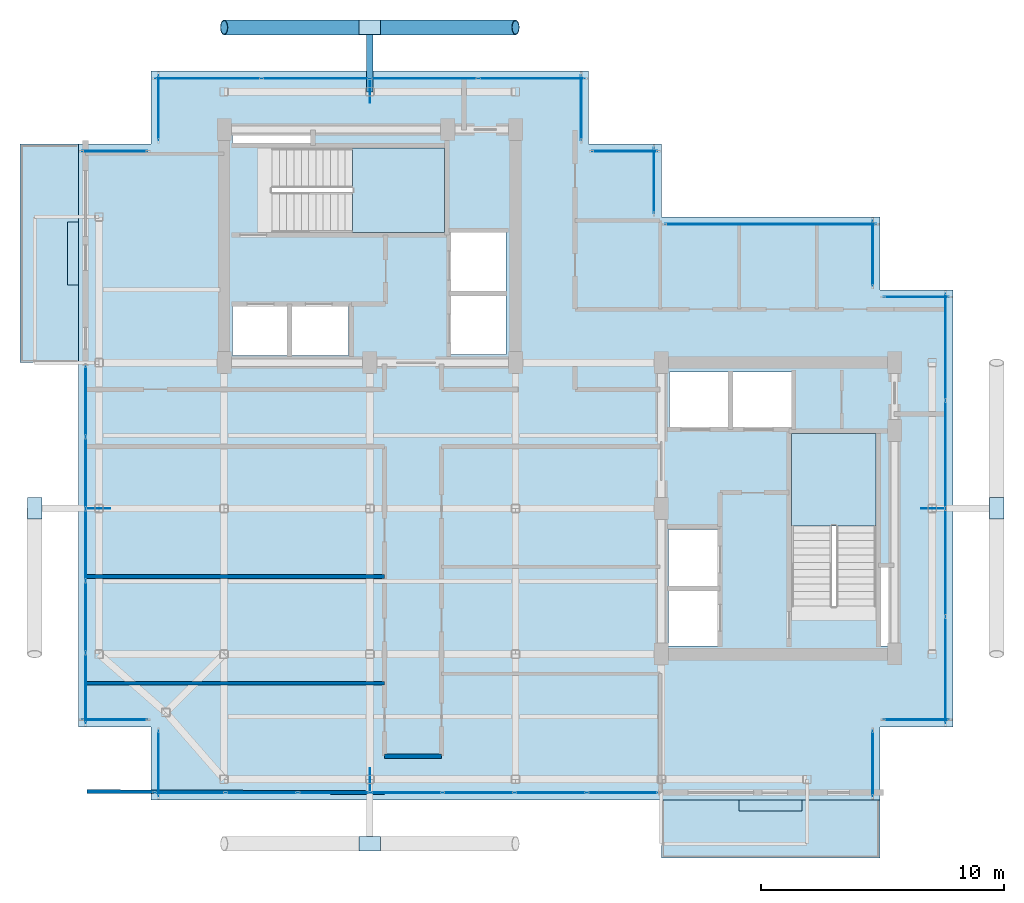
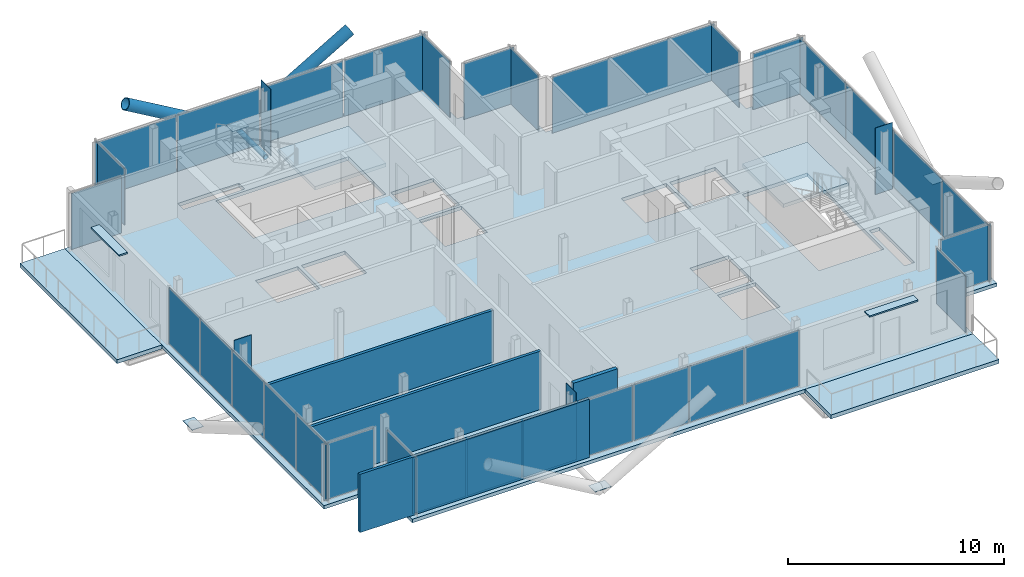
# One storey, part 13 of 18: 42 plates, 5 slabs, 4 walls, 3 members, 18 elements without a shape of their own.
"""IFC4 building model written with IfcOpenShell, lengths in metres."""

from ifc_helpers import new_model, si_unit, direction, frame, frame_2d, origin, origin_2d, place, context, subcontext, project, spatial, polyline, rectangle, hollow_circle, outline, extrude, material, layer, layer_set, material_profile, profile_set, type_object, element, aggregate, save


model = new_model("IFC4")

# Units and contexts
model_context = context("Model", 3, precision=1e-05, world=origin(), true_north=direction((0.0, 1.0)))
body_context = subcontext(model_context, "Body", "Model", "MODEL_VIEW")
ifc_project = project(units=[si_unit("LENGTHUNIT", "METRE"), si_unit("AREAUNIT", "SQUARE_METRE"), si_unit("VOLUMEUNIT", "CUBIC_METRE"), si_unit("PLANEANGLEUNIT", "RADIAN"), si_unit("MASSUNIT", "GRAM", prefix="KILO"), si_unit("THERMODYNAMICTEMPERATUREUNIT", "KELVIN"), si_unit("POWERUNIT", "WATT")], contexts=[model_context])

# Site, building, storey
site_placement = place(None, origin())
site = spatial("IfcSite", under=ifc_project, at=site_placement, CompositionType="ELEMENT")
building_placement = place(site_placement, origin())
building = spatial("IfcBuilding", under=site, at=building_placement, Name="Svarakhadi Broadcast Tower", CompositionType="ELEMENT")
storey_placement = place(building_placement, frame((0.0, 0.0, 274.699951171875)))
storey = spatial("IfcBuildingStorey", under=building, at=storey_placement, Name="L69", CompositionType="ELEMENT", Elevation=274.699951171875)

# Members
ifc_material_1 = material(Name="Steel S460ML (IS 2062 E450BR)", Category="steel")
ifc_material_profile_1 = material_profile(ifc_material_1, hollow_circle(Radius=0.304931640625, WallThickness=0.030029296875, at=origin_2d()), Name="CHS 610x30")
ifc_profile_set_1 = profile_set([ifc_material_profile_1], Name="Steel S460ML (IS 2062 E450BR)")
member_type_1 = type_object("IfcMemberType", Name="Exo_Brace_CHS610", PredefinedType="BRACE", material=ifc_profile_set_1)
for number, where, z_axis, x_axis, name in (
    (1, (12.0, 31.800048828125, -0.33642578125), (-0.863778900898, 0.0, 0.503871025524), (0.0, -1.0, 0.0), "L69 Exposed Bronze Exoskeleton Diagonal N06"),
    (2, (12.0, 31.800048828125, -0.33642578125), (0.863778900898, 0.0, 0.503871025524), (0.0, 1.0, 0.0), "L69 Exposed Bronze Exoskeleton Diagonal N07"),
):
    element("IfcMember", number, at=place(storey_placement, frame(where, z_axis=z_axis, x_axis=x_axis)), inside=storey, type_object=member_type_1, Name=name, PredefinedType="BRACE", context=body_context, shape_type="SweptSolid", body=[
        extrude(hollow_circle(Radius=0.304931640625, WallThickness=0.030029296875, at=origin_2d()), origin(), (0.0, 0.0, 1.0), 6.9462890625),
    ])
ifc_material_profile_2 = material_profile(ifc_material_1, hollow_circle(Radius=0.136474609375, WallThickness=0.012451171875, at=origin_2d()), Name="CHS 273x12.5")
ifc_profile_set_2 = profile_set([ifc_material_profile_2], Name="Steel S460ML (IS 2062 E450BR)")
member_type_2 = type_object("IfcMemberType", Name="Exo_Radial_Strut_Z3", PredefinedType="STRUT", material=ifc_profile_set_2)
member_placement = place(storey_placement, frame((12.0, 31.800048828125, -0.33642578125), z_axis=(0.0, -1.0, 0.0), x_axis=(1.0, 0.0, 0.0)))
element("IfcMember", 3, at=member_placement, inside=storey, type_object=member_type_2, Name="L69 Exoskeleton Radial Tie Strut N04", PredefinedType="STRUT", context=body_context, shape_type="SweptSolid", body=[
    extrude(hollow_circle(Radius=0.136474609375, WallThickness=0.012451171875, at=origin_2d()), origin(), (0.0, 0.0, 1.0), 2.650146484375),
])

# Curtain wall, plate
ifc_material_2 = material(Name="Anodised Bronze Aluminium AA 6063-T6", Category="aluminium")
ifc_layer_1 = layer(ifc_material_2, 0.179931640625)
ifc_layer_set_1 = layer_set([ifc_layer_1], Name="Anodised Bronze Aluminium AA 6063-T6")
curtain_wall_type = type_object("IfcCurtainWallType", Name="CW_Sys_05", PredefinedType="NOTDEFINED", material=ifc_layer_set_1)
curtain_wall_1_placement = place(storey_placement, origin())
curtain_wall_1 = element("IfcCurtainWall", 4, at=curtain_wall_1_placement, inside=storey, type_object=curtain_wall_type, Name="L69 Unitised Facade Curtain Wall 01", PredefinedType="NOTDEFINED")
ifc_material_3 = material(Name="Double Low-E Laminated Acoustic Glass IGU 36 mm", Category="glass")
ifc_layer_2 = layer(ifc_material_3, 0.033935546875)
ifc_layer_set_2 = layer_set([ifc_layer_2], Name="Double Low-E Laminated Acoustic Glass IGU 36 mm")
plate_type_1 = type_object("IfcPlateType", Name="CW_Sys_05_Pnl", PredefinedType="CURTAIN_PANEL", material=ifc_layer_set_2)
plate_1_placement = place(storey_placement, frame((1.5, 3.300048828125, 0.065185546875), z_axis=(0.0, 0.0, 1.0), x_axis=(-1.0, 0.0, 0.0)))
plate_1 = element("IfcPlate", 5, at=plate_1_placement, type_object=plate_type_1, Name="CW-05 panel 1.1", PredefinedType="CURTAIN_PANEL", context=body_context, shape_type="SweptSolid", body=[
    extrude(rectangle(XDim=2.679931640625, YDim=0.033935546875, at=origin_2d()), origin(), (0.0, 0.0, 1.0), 3.169921875),
])
aggregate(curtain_wall_1, [plate_1])

# Curtain wall, plates
curtain_wall_2_placement = place(storey_placement, origin())
curtain_wall_2 = element("IfcCurtainWall", 6, at=curtain_wall_2_placement, inside=storey, type_object=curtain_wall_type, Name="L69 West Curtain Wall 02", PredefinedType="NOTDEFINED")
plate_2_placement = place(storey_placement, frame((0.300048828125, 4.589599609375, 0.065185546875), z_axis=(0.0, 0.0, 1.0), x_axis=(0.0, 1.0, 0.0)))
plate_2 = element("IfcPlate", 7, at=plate_2_placement, type_object=plate_type_1, Name="CW-05 panel 1.1", PredefinedType="CURTAIN_PANEL", context=body_context, shape_type="SweptSolid", body=[
    extrude(rectangle(XDim=2.85888671875, YDim=0.033935546875, at=origin_2d()), origin(), (0.0, 0.0, 1.0), 3.169921875),
])
plate_3_placement = place(storey_placement, frame((0.300048828125, 7.535888671875, 0.065185546875), z_axis=(0.0, 0.0, 1.0), x_axis=(0.0, 1.0, 0.0)))
plate_3 = element("IfcPlate", 8, at=plate_3_placement, type_object=plate_type_1, Name="CW-05 panel 2.1", PredefinedType="CURTAIN_PANEL", context=body_context, shape_type="SweptSolid", body=[
    extrude(rectangle(XDim=2.89404296875, YDim=0.033935546875, at=origin_2d()), origin(), (0.0, 0.0, 1.0), 3.169921875),
])
plate_4_placement = place(storey_placement, frame((0.300048828125, 10.5, 0.065185546875), z_axis=(0.0, 0.0, 1.0), x_axis=(0.0, 1.0, 0.0)))
plate_4 = element("IfcPlate", 9, at=plate_4_placement, type_object=plate_type_1, Name="CW-05 panel 3.1", PredefinedType="CURTAIN_PANEL", context=body_context, shape_type="SweptSolid", body=[
    extrude(rectangle(XDim=2.89404296875, YDim=0.033935546875, at=origin_2d()), origin(), (0.0, 0.0, 1.0), 3.169921875),
])
plate_5_placement = place(storey_placement, frame((0.300048828125, 13.464111328125, 0.065185546875), z_axis=(0.0, 0.0, 1.0), x_axis=(0.0, 1.0, 0.0)))
plate_5 = element("IfcPlate", 10, at=plate_5_placement, type_object=plate_type_1, Name="CW-05 panel 4.1", PredefinedType="CURTAIN_PANEL", context=body_context, shape_type="SweptSolid", body=[
    extrude(rectangle(XDim=2.89404296875, YDim=0.033935546875, at=origin_2d()), origin(), (0.0, 0.0, 1.0), 3.169921875),
])
plate_6_placement = place(storey_placement, frame((0.300048828125, 16.410400390625, 0.065185546875), z_axis=(0.0, 0.0, 1.0), x_axis=(0.0, 1.0, 0.0)))
plate_6 = element("IfcPlate", 11, at=plate_6_placement, type_object=plate_type_1, Name="CW-05 panel 5.1", PredefinedType="CURTAIN_PANEL", context=body_context, shape_type="SweptSolid", body=[
    extrude(rectangle(XDim=2.85888671875, YDim=0.033935546875, at=origin_2d()), origin(), (0.0, 0.0, 1.0), 3.169921875),
])
aggregate(curtain_wall_2, [plate_2, plate_3, plate_4, plate_5, plate_6])

# Curtain wall, plate
curtain_wall_3_placement = place(storey_placement, origin())
curtain_wall_3 = element("IfcCurtainWall", 12, at=curtain_wall_3_placement, inside=storey, type_object=curtain_wall_type, Name="L69 Unitised Facade Curtain Wall 03", PredefinedType="NOTDEFINED")
plate_7_placement = place(storey_placement, frame((1.5, 26.699951171875, 0.065185546875), z_axis=(0.0, 0.0, 1.0), x_axis=(1.0, 0.0, 0.0)))
plate_7 = element("IfcPlate", 13, at=plate_7_placement, type_object=plate_type_1, Name="CW-05 panel 1.1", PredefinedType="CURTAIN_PANEL", context=body_context, shape_type="SweptSolid", body=[
    extrude(rectangle(XDim=2.679931640625, YDim=0.033935546875, at=origin_2d()), origin(), (0.0, 0.0, 1.0), 3.169921875),
])
aggregate(curtain_wall_3, [plate_7])

curtain_wall_4_placement = place(storey_placement, origin())
curtain_wall_4 = element("IfcCurtainWall", 14, at=curtain_wall_4_placement, inside=storey, type_object=curtain_wall_type, Name="L69 Unitised Facade Curtain Wall 04", PredefinedType="NOTDEFINED")
plate_8_placement = place(storey_placement, frame((3.300048828125, 28.5, 0.065185546875), z_axis=(0.0, 0.0, 1.0), x_axis=(0.0, 1.0, 0.0)))
plate_8 = element("IfcPlate", 15, at=plate_8_placement, type_object=plate_type_1, Name="CW-05 panel 1.1", PredefinedType="CURTAIN_PANEL", context=body_context, shape_type="SweptSolid", body=[
    extrude(rectangle(XDim=2.679931640625, YDim=0.033935546875, at=origin_2d()), origin(), (0.0, 0.0, 1.0), 3.169921875),
])
aggregate(curtain_wall_4, [plate_8])

# Curtain wall, plates
curtain_wall_5_placement = place(storey_placement, origin())
curtain_wall_5 = element("IfcCurtainWall", 16, at=curtain_wall_5_placement, inside=storey, type_object=curtain_wall_type, Name="L69 Unitised Facade Curtain Wall 05", PredefinedType="NOTDEFINED")
plate_9_placement = place(storey_placement, frame((5.3349609375, 29.699951171875, 0.065185546875), z_axis=(0.0, 0.0, 1.0), x_axis=(1.0, 0.0, 0.0)))
plate_9 = element("IfcPlate", 17, at=plate_9_placement, type_object=plate_type_1, Name="CW-05 panel 1.1", PredefinedType="CURTAIN_PANEL", context=body_context, shape_type="SweptSolid", body=[
    extrude(rectangle(XDim=4.35009765625, YDim=0.033935546875, at=origin_2d()), origin(), (0.0, 0.0, 1.0), 3.169921875),
])
plate_10_placement = place(storey_placement, frame((9.7724609375, 29.699951171875, 0.065185546875), z_axis=(0.0, 0.0, 1.0), x_axis=(1.0, 0.0, 0.0)))
plate_10 = element("IfcPlate", 18, at=plate_10_placement, type_object=plate_type_1, Name="CW-05 panel 2.1", PredefinedType="CURTAIN_PANEL", context=body_context, shape_type="SweptSolid", body=[
    extrude(rectangle(XDim=4.385009765625, YDim=0.033935546875, at=origin_2d()), origin(), (0.0, 0.0, 1.0), 3.169921875),
])
plate_11_placement = place(storey_placement, frame((14.2275390625, 29.699951171875, 0.065185546875), z_axis=(0.0, 0.0, 1.0), x_axis=(1.0, 0.0, 0.0)))
plate_11 = element("IfcPlate", 19, at=plate_11_placement, type_object=plate_type_1, Name="CW-05 panel 3.1", PredefinedType="CURTAIN_PANEL", context=body_context, shape_type="SweptSolid", body=[
    extrude(rectangle(XDim=4.385009765625, YDim=0.033935546875, at=origin_2d()), origin(), (0.0, 0.0, 1.0), 3.169921875),
])
plate_12_placement = place(storey_placement, frame((18.6650390625, 29.699951171875, 0.065185546875), z_axis=(0.0, 0.0, 1.0), x_axis=(1.0, 0.0, 0.0)))
plate_12 = element("IfcPlate", 20, at=plate_12_placement, type_object=plate_type_1, Name="CW-05 panel 4.1", PredefinedType="CURTAIN_PANEL", context=body_context, shape_type="SweptSolid", body=[
    extrude(rectangle(XDim=4.35009765625, YDim=0.033935546875, at=origin_2d()), origin(), (0.0, 0.0, 1.0), 3.169921875),
])
aggregate(curtain_wall_5, [plate_9, plate_10, plate_11, plate_12])

# Curtain wall, plate
curtain_wall_6_placement = place(storey_placement, origin())
curtain_wall_6 = element("IfcCurtainWall", 21, at=curtain_wall_6_placement, inside=storey, type_object=curtain_wall_type, Name="L69 Unitised Facade Curtain Wall 06", PredefinedType="NOTDEFINED")
plate_13_placement = place(storey_placement, frame((20.699951171875, 28.5, 0.065185546875), z_axis=(0.0, 0.0, 1.0), x_axis=(0.0, -1.0, 0.0)))
plate_13 = element("IfcPlate", 22, at=plate_13_placement, type_object=plate_type_1, Name="CW-05 panel 1.1", PredefinedType="CURTAIN_PANEL", context=body_context, shape_type="SweptSolid", body=[
    extrude(rectangle(XDim=2.679931640625, YDim=0.033935546875, at=origin_2d()), origin(), (0.0, 0.0, 1.0), 3.169921875),
])
aggregate(curtain_wall_6, [plate_13])

curtain_wall_7_placement = place(storey_placement, origin())
curtain_wall_7 = element("IfcCurtainWall", 23, at=curtain_wall_7_placement, inside=storey, type_object=curtain_wall_type, Name="L69 Unitised Facade Curtain Wall 07", PredefinedType="NOTDEFINED")
plate_14_placement = place(storey_placement, frame((22.5, 26.699951171875, 0.065185546875), z_axis=(0.0, 0.0, 1.0), x_axis=(1.0, 0.0, 0.0)))
plate_14 = element("IfcPlate", 24, at=plate_14_placement, type_object=plate_type_1, Name="CW-05 panel 1.1", PredefinedType="CURTAIN_PANEL", context=body_context, shape_type="SweptSolid", body=[
    extrude(rectangle(XDim=2.679931640625, YDim=0.033935546875, at=origin_2d()), origin(), (0.0, 0.0, 1.0), 3.169921875),
])
aggregate(curtain_wall_7, [plate_14])

curtain_wall_8_placement = place(storey_placement, origin())
curtain_wall_8 = element("IfcCurtainWall", 25, at=curtain_wall_8_placement, inside=storey, type_object=curtain_wall_type, Name="L69 Unitised Facade Curtain Wall 08", PredefinedType="NOTDEFINED")
plate_15_placement = place(storey_placement, frame((23.699951171875, 25.5, 0.065185546875), z_axis=(0.0, 0.0, 1.0), x_axis=(0.0, -1.0, 0.0)))
plate_15 = element("IfcPlate", 26, at=plate_15_placement, type_object=plate_type_1, Name="CW-05 panel 1.1", PredefinedType="CURTAIN_PANEL", context=body_context, shape_type="SweptSolid", body=[
    extrude(rectangle(XDim=2.679931640625, YDim=0.033935546875, at=origin_2d()), origin(), (0.0, 0.0, 1.0), 3.169921875),
])
aggregate(curtain_wall_8, [plate_15])

curtain_wall_9_placement = place(storey_placement, origin())
curtain_wall_9 = element("IfcCurtainWall", 27, at=curtain_wall_9_placement, inside=storey, type_object=curtain_wall_type, Name="L69 Unitised Facade Curtain Wall 09", PredefinedType="NOTDEFINED")
plate_16_placement = place(storey_placement, frame((28.5, 23.699951171875, 0.065185546875), z_axis=(0.0, 0.0, 1.0), x_axis=(1.0, 0.0, 0.0)))
plate_16 = element("IfcPlate", 28, at=plate_16_placement, type_object=plate_type_1, Name="CW-05 panel 1.1", PredefinedType="CURTAIN_PANEL", context=body_context, shape_type="SweptSolid", body=[
    extrude(rectangle(XDim=8.679931640625, YDim=0.033935546875, at=origin_2d()), origin(), (0.0, 0.0, 1.0), 3.169921875),
])
aggregate(curtain_wall_9, [plate_16])

curtain_wall_10_placement = place(storey_placement, origin())
curtain_wall_10 = element("IfcCurtainWall", 29, at=curtain_wall_10_placement, inside=storey, type_object=curtain_wall_type, Name="L69 Unitised Facade Curtain Wall 10", PredefinedType="NOTDEFINED")
plate_17_placement = place(storey_placement, frame((32.699951171875, 22.5, 0.065185546875), z_axis=(0.0, 0.0, 1.0), x_axis=(0.0, -1.0, 0.0)))
plate_17 = element("IfcPlate", 30, at=plate_17_placement, type_object=plate_type_1, Name="CW-05 panel 1.1", PredefinedType="CURTAIN_PANEL", context=body_context, shape_type="SweptSolid", body=[
    extrude(rectangle(XDim=2.679931640625, YDim=0.033935546875, at=origin_2d()), origin(), (0.0, 0.0, 1.0), 3.169921875),
])
aggregate(curtain_wall_10, [plate_17])

curtain_wall_11_placement = place(storey_placement, origin())
curtain_wall_11 = element("IfcCurtainWall", 31, at=curtain_wall_11_placement, inside=storey, type_object=curtain_wall_type, Name="L69 Unitised Facade Curtain Wall 11", PredefinedType="NOTDEFINED")
plate_18_placement = place(storey_placement, frame((34.5, 20.699951171875, 0.065185546875), z_axis=(0.0, 0.0, 1.0), x_axis=(1.0, 0.0, 0.0)))
plate_18 = element("IfcPlate", 32, at=plate_18_placement, type_object=plate_type_1, Name="CW-05 panel 1.1", PredefinedType="CURTAIN_PANEL", context=body_context, shape_type="SweptSolid", body=[
    extrude(rectangle(XDim=2.679931640625, YDim=0.033935546875, at=origin_2d()), origin(), (0.0, 0.0, 1.0), 3.169921875),
])
aggregate(curtain_wall_11, [plate_18])

# Curtain wall, plates
curtain_wall_12_placement = place(storey_placement, origin())
curtain_wall_12 = element("IfcCurtainWall", 33, at=curtain_wall_12_placement, inside=storey, type_object=curtain_wall_type, Name="L69 Unitised Facade Curtain Wall 12", PredefinedType="NOTDEFINED")
plate_19_placement = place(storey_placement, frame((35.699951171875, 18.6650390625, 0.065185546875), z_axis=(0.0, 0.0, 1.0), x_axis=(0.0, -1.0, 0.0)))
plate_19 = element("IfcPlate", 34, at=plate_19_placement, type_object=plate_type_1, Name="CW-05 panel 1.1", PredefinedType="CURTAIN_PANEL", context=body_context, shape_type="SweptSolid", body=[
    extrude(rectangle(XDim=4.35009765625, YDim=0.033935546875, at=origin_2d()), origin(), (0.0, 0.0, 1.0), 3.169921875),
])
plate_20_placement = place(storey_placement, frame((35.699951171875, 14.2275390625, 0.065185546875), z_axis=(0.0, 0.0, 1.0), x_axis=(0.0, -1.0, 0.0)))
plate_20 = element("IfcPlate", 35, at=plate_20_placement, type_object=plate_type_1, Name="CW-05 panel 2.1", PredefinedType="CURTAIN_PANEL", context=body_context, shape_type="SweptSolid", body=[
    extrude(rectangle(XDim=4.385009765625, YDim=0.033935546875, at=origin_2d()), origin(), (0.0, 0.0, 1.0), 3.169921875),
])
plate_21_placement = place(storey_placement, frame((35.699951171875, 9.7724609375, 0.065185546875), z_axis=(0.0, 0.0, 1.0), x_axis=(0.0, -1.0, 0.0)))
plate_21 = element("IfcPlate", 36, at=plate_21_placement, type_object=plate_type_1, Name="CW-05 panel 3.1", PredefinedType="CURTAIN_PANEL", context=body_context, shape_type="SweptSolid", body=[
    extrude(rectangle(XDim=4.385009765625, YDim=0.033935546875, at=origin_2d()), origin(), (0.0, 0.0, 1.0), 3.169921875),
])
plate_22_placement = place(storey_placement, frame((35.699951171875, 5.3349609375, 0.065185546875), z_axis=(0.0, 0.0, 1.0), x_axis=(0.0, -1.0, 0.0)))
plate_22 = element("IfcPlate", 37, at=plate_22_placement, type_object=plate_type_1, Name="CW-05 panel 4.1", PredefinedType="CURTAIN_PANEL", context=body_context, shape_type="SweptSolid", body=[
    extrude(rectangle(XDim=4.35009765625, YDim=0.033935546875, at=origin_2d()), origin(), (0.0, 0.0, 1.0), 3.169921875),
])
aggregate(curtain_wall_12, [plate_19, plate_20, plate_21, plate_22])

# Curtain wall, plate
curtain_wall_13_placement = place(storey_placement, origin())
curtain_wall_13 = element("IfcCurtainWall", 38, at=curtain_wall_13_placement, inside=storey, type_object=curtain_wall_type, Name="L69 Unitised Facade Curtain Wall 13", PredefinedType="NOTDEFINED")
plate_23_placement = place(storey_placement, frame((34.5, 3.300048828125, 0.065185546875), z_axis=(0.0, 0.0, 1.0), x_axis=(-1.0, 0.0, 0.0)))
plate_23 = element("IfcPlate", 39, at=plate_23_placement, type_object=plate_type_1, Name="CW-05 panel 1.1", PredefinedType="CURTAIN_PANEL", context=body_context, shape_type="SweptSolid", body=[
    extrude(rectangle(XDim=2.679931640625, YDim=0.033935546875, at=origin_2d()), origin(), (0.0, 0.0, 1.0), 3.169921875),
])
aggregate(curtain_wall_13, [plate_23])

curtain_wall_14_placement = place(storey_placement, origin())
curtain_wall_14 = element("IfcCurtainWall", 40, at=curtain_wall_14_placement, inside=storey, type_object=curtain_wall_type, Name="L69 Unitised Facade Curtain Wall 14", PredefinedType="NOTDEFINED")
plate_24_placement = place(storey_placement, frame((32.699951171875, 1.5, 0.065185546875), z_axis=(0.0, 0.0, 1.0), x_axis=(0.0, -1.0, 0.0)))
plate_24 = element("IfcPlate", 41, at=plate_24_placement, type_object=plate_type_1, Name="CW-05 panel 1.1", PredefinedType="CURTAIN_PANEL", context=body_context, shape_type="SweptSolid", body=[
    extrude(rectangle(XDim=2.679931640625, YDim=0.033935546875, at=origin_2d()), origin(), (0.0, 0.0, 1.0), 3.169921875),
])
aggregate(curtain_wall_14, [plate_24])

# Curtain wall, plates
curtain_wall_15_placement = place(storey_placement, origin())
curtain_wall_15 = element("IfcCurtainWall", 42, at=curtain_wall_15_placement, inside=storey, type_object=curtain_wall_type, Name="L69 South Curtain Wall 15", PredefinedType="NOTDEFINED")
plate_25_placement = place(storey_placement, frame((22.4052734375, 0.300048828125, 0.065185546875), z_axis=(0.0, 0.0, 1.0), x_axis=(-1.0, 0.0, 0.0)))
plate_25 = element("IfcPlate", 43, at=plate_25_placement, type_object=plate_type_1, Name="CW-05 panel 1.1", PredefinedType="CURTAIN_PANEL", context=body_context, shape_type="SweptSolid", body=[
    extrude(rectangle(XDim=2.869384765625, YDim=0.033935546875, at=origin_2d()), origin(), (0.0, 0.0, 1.0), 3.169921875),
])
plate_26_placement = place(storey_placement, frame((19.448486328125, 0.300048828125, 0.065185546875), z_axis=(0.0, 0.0, 1.0), x_axis=(-1.0, 0.0, 0.0)))
plate_26 = element("IfcPlate", 44, at=plate_26_placement, type_object=plate_type_1, Name="CW-05 panel 2.1", PredefinedType="CURTAIN_PANEL", context=body_context, shape_type="SweptSolid", body=[
    extrude(rectangle(XDim=2.904296875, YDim=0.033935546875, at=origin_2d()), origin(), (0.0, 0.0, 1.0), 3.169921875),
])
plate_27_placement = place(storey_placement, frame((16.474365234375, 0.300048828125, 0.065185546875), z_axis=(0.0, 0.0, 1.0), x_axis=(-1.0, 0.0, 0.0)))
plate_27 = element("IfcPlate", 45, at=plate_27_placement, type_object=plate_type_1, Name="CW-05 panel 3.1", PredefinedType="CURTAIN_PANEL", context=body_context, shape_type="SweptSolid", body=[
    extrude(rectangle(XDim=2.904296875, YDim=0.033935546875, at=origin_2d()), origin(), (0.0, 0.0, 1.0), 3.169921875),
])
plate_28_placement = place(storey_placement, frame((13.5, 0.300048828125, 0.065185546875), z_axis=(0.0, 0.0, 1.0), x_axis=(-1.0, 0.0, 0.0)))
plate_28 = element("IfcPlate", 46, at=plate_28_placement, type_object=plate_type_1, Name="CW-05 panel 4.1", PredefinedType="CURTAIN_PANEL", context=body_context, shape_type="SweptSolid", body=[
    extrude(rectangle(XDim=2.904296875, YDim=0.033935546875, at=origin_2d()), origin(), (0.0, 0.0, 1.0), 3.169921875),
])
plate_29_placement = place(storey_placement, frame((10.525634765625, 0.300048828125, 0.065185546875), z_axis=(0.0, 0.0, 1.0), x_axis=(-1.0, 0.0, 0.0)))
plate_29 = element("IfcPlate", 47, at=plate_29_placement, type_object=plate_type_1, Name="CW-05 panel 5.1", PredefinedType="CURTAIN_PANEL", context=body_context, shape_type="SweptSolid", body=[
    extrude(rectangle(XDim=2.904296875, YDim=0.033935546875, at=origin_2d()), origin(), (0.0, 0.0, 1.0), 3.169921875),
])
plate_30_placement = place(storey_placement, frame((7.551513671875, 0.300048828125, 0.065185546875), z_axis=(0.0, 0.0, 1.0), x_axis=(-1.0, 0.0, 0.0)))
plate_30 = element("IfcPlate", 48, at=plate_30_placement, type_object=plate_type_1, Name="CW-05 panel 6.1", PredefinedType="CURTAIN_PANEL", context=body_context, shape_type="SweptSolid", body=[
    extrude(rectangle(XDim=2.904296875, YDim=0.033935546875, at=origin_2d()), origin(), (0.0, 0.0, 1.0), 3.169921875),
])
plate_31_placement = place(storey_placement, frame((4.5947265625, 0.300048828125, 0.065185546875), z_axis=(0.0, 0.0, 1.0), x_axis=(-1.0, 0.0, 0.0)))
plate_31 = element("IfcPlate", 49, at=plate_31_placement, type_object=plate_type_1, Name="CW-05 panel 7.1", PredefinedType="CURTAIN_PANEL", context=body_context, shape_type="SweptSolid", body=[
    extrude(rectangle(XDim=2.869384765625, YDim=0.033935546875, at=origin_2d()), origin(), (0.0, 0.0, 1.0), 3.169921875),
])
aggregate(curtain_wall_15, [plate_25, plate_26, plate_27, plate_28, plate_29, plate_30, plate_31])

# Curtain wall, plate
curtain_wall_16_placement = place(storey_placement, origin())
curtain_wall_16 = element("IfcCurtainWall", 50, at=curtain_wall_16_placement, inside=storey, type_object=curtain_wall_type, Name="L69 Unitised Facade Curtain Wall 16", PredefinedType="NOTDEFINED")
plate_32_placement = place(storey_placement, frame((3.300048828125, 1.5, 0.065185546875), z_axis=(0.0, 0.0, 1.0), x_axis=(0.0, 1.0, 0.0)))
plate_32 = element("IfcPlate", 51, at=plate_32_placement, type_object=plate_type_1, Name="CW-05 panel 1.1", PredefinedType="CURTAIN_PANEL", context=body_context, shape_type="SweptSolid", body=[
    extrude(rectangle(XDim=2.679931640625, YDim=0.033935546875, at=origin_2d()), origin(), (0.0, 0.0, 1.0), 3.169921875),
])
aggregate(curtain_wall_16, [plate_32])

# Plates
ifc_layer_3 = layer(ifc_material_1, 0.02490234375)
ifc_layer_set_3 = layer_set([ifc_layer_3], Name="Steel S460ML (IS 2062 E450BR)")
plate_type_2 = type_object("IfcPlateType", Name="Node_Gusset_N05", PredefinedType="SHEET", material=ifc_layer_set_3)
for number, where, z_axis, x_axis, name in (
    (52, (12.0, -1.800048828125, -0.199951171875), (0.0, 0.0, 1.0), (1.0, 0.0, 0.0), "L69 Exoskeleton Gusset Node Plate S01"),
    (53, (-1.800048828125, 12.0, -0.199951171875), (0.0, 0.0, 1.0), (0.0, 1.0, 0.0), "L69 Exoskeleton Gusset Node Plate W02"),
    (54, (37.800048828125, 12.0, -0.199951171875), (0.0, 0.0, 1.0), (0.0, 1.0, 0.0), "L69 Exoskeleton Gusset Node Plate E03"),
    (55, (12.0, 31.800048828125, -0.199951171875), (0.0, 0.0, 1.0), (1.0, 0.0, 0.0), "L69 Exoskeleton Gusset Node Plate N04"),
):
    element("IfcPlate", number, at=place(storey_placement, frame(where, z_axis=z_axis, x_axis=x_axis)), inside=storey, type_object=plate_type_2, Name=name, PredefinedType="SHEET", context=body_context, shape_type="SweptSolid", body=[
        extrude(rectangle(XDim=0.8798828125, YDim=0.60009765625, at=origin_2d()), origin(), (0.0, 0.0, 1.0), 0.02490234375),
    ])
ifc_layer_4 = layer(ifc_material_1, 0.02587890625)
ifc_layer_set_4 = layer_set([ifc_layer_4], Name="Steel S460ML (IS 2062 E450BR)")
plate_type_3 = type_object("IfcPlateType", Name="Node_Gusset_N07", PredefinedType="SHEET", material=ifc_layer_set_4)
for number, where, z_axis, x_axis, name in (
    (56, (12.0, 0.85009765625, -0.53662109375), (0.0, 0.0, 1.0), (0.0, 1.0, 0.0), "L69 Brace End Connection Gusset Plate N-07-E0543"),
    (57, (0.85009765625, 12.0, -0.53662109375), (0.0, 0.0, 1.0), (1.0, 0.0, 0.0), "L69 Brace End Connection Gusset Plate N-07-E0544"),
    (58, (35.14990234375, 12.0, -0.53662109375), (0.0, 0.0, 1.0), (1.0, 0.0, 0.0), "L69 Brace End Connection Gusset Plate N-07-E0545"),
    (59, (12.0, 29.14990234375, -0.53662109375), (0.0, 0.0, 1.0), (0.0, 1.0, 0.0), "L69 Brace End Connection Gusset Plate N-07-E0546"),
):
    element("IfcPlate", number, at=place(storey_placement, frame(where, z_axis=z_axis, x_axis=x_axis)), inside=storey, type_object=plate_type_3, Name=name, PredefinedType="SHEET", context=body_context, shape_type="SweptSolid", body=[
        extrude(rectangle(XDim=0.919921875, YDim=0.02587890625, at=origin_2d()), origin(), (0.0, 0.0, 1.0), 4.300048828125),
    ])

# Slab
ifc_material_4 = material(Name="Concrete C40/50 (IS 456 M50)", Category="concrete")
ifc_layer_5 = layer(ifc_material_4, 0.199951171875)
ifc_layer_set_5 = layer_set([ifc_layer_5], Name="Concrete C40/50 (IS 456 M50)")
slab_type_1 = type_object("IfcSlabType", Name="Slab_Floor_200", PredefinedType="FLOOR", material=ifc_layer_set_5)
slab_1_placement = place(storey_placement, frame((0.0, 0.0, -0.199951171875)))
element("IfcSlab", 60, at=slab_1_placement, inside=storey, type_object=slab_type_1, Name="L69 Structural Floor Slab", PredefinedType="FLOOR", context=body_context, shape_type="SweptSolid", body=[
    extrude(outline(polyline([(3.0, 0.0), (33.0, 0.0), (33.0, 3.0), (36.0, 3.0), (36.0, 21.0), (33.0, 21.0), (33.0, 24.0), (24.0, 24.0), (24.0, 27.0), (21.0, 27.0), (21.0, 30.0), (3.0, 30.0), (3.0, 27.0), (0.0, 27.0), (0.0, 3.0), (3.0, 3.0), (3.0, 0.0)]), holes=[polyline([(7.97998046875, 23.360107421875), (15.080078125, 23.360107421875), (15.080078125, 26.840087890625), (7.97998046875, 26.840087890625), (7.97998046875, 23.360107421875)]), polyline([(32.840087890625, 7.97998046875), (32.840087890625, 15.080078125), (29.360107421875, 15.080078125), (29.360107421875, 7.97998046875), (32.840087890625, 7.97998046875)]), polyline([(6.340087890625, 18.2900390625), (8.610107421875, 18.2900390625), (8.610107421875, 20.330078125), (6.340087890625, 20.330078125), (6.340087890625, 18.2900390625)]), polyline([(8.7900390625, 18.2900390625), (11.1298828125, 18.2900390625), (11.1298828125, 20.330078125), (8.7900390625, 20.330078125), (8.7900390625, 18.2900390625)]), polyline([(24.2900390625, 6.340087890625), (26.330078125, 6.340087890625), (26.330078125, 8.610107421875), (24.2900390625, 8.610107421875), (24.2900390625, 6.340087890625)]), polyline([(24.2900390625, 8.7900390625), (26.330078125, 8.7900390625), (26.330078125, 11.1298828125), (24.2900390625, 11.1298828125), (24.2900390625, 8.7900390625)]), polyline([(6.340087890625, 26.989990234375), (9.610107421875, 26.989990234375), (9.610107421875, 27.530029296875), (6.340087890625, 27.530029296875), (6.340087890625, 26.989990234375)]), polyline([(32.989990234375, 6.340087890625), (33.530029296875, 6.340087890625), (33.530029296875, 9.610107421875), (32.989990234375, 9.610107421875), (32.989990234375, 6.340087890625)]), polyline([(15.340087890625, 18.340087890625), (17.610107421875, 18.340087890625), (17.610107421875, 20.760009765625), (15.340087890625, 20.760009765625), (15.340087890625, 18.340087890625)]), polyline([(15.340087890625, 20.93994140625), (17.610107421875, 20.93994140625), (17.610107421875, 23.360107421875), (15.340087890625, 23.360107421875), (15.340087890625, 20.93994140625)]), polyline([(24.340087890625, 15.340087890625), (26.760009765625, 15.340087890625), (26.760009765625, 17.610107421875), (24.340087890625, 17.610107421875), (24.340087890625, 15.340087890625)]), polyline([(26.93994140625, 15.340087890625), (29.360107421875, 15.340087890625), (29.360107421875, 17.610107421875), (26.93994140625, 17.610107421875), (26.93994140625, 15.340087890625)])]), origin(), (0.0, 0.0, 1.0), 0.199951171875),
])

# Stair, slab
stair_type = type_object("IfcStairType", Name="Stair_Exit_Core", PredefinedType="HALF_TURN_STAIR", material=ifc_material_4)
stair_1_placement = place(storey_placement, origin())
stair_1 = element("IfcStair", 61, at=stair_1_placement, inside=storey, type_object=stair_type, Name="L69 West Core Protected Exit Stair ST-01", PredefinedType="HALF_TURN_STAIR")
ifc_layer_6 = layer(ifc_material_4, 0.199951171875)
ifc_layer_set_6 = layer_set([ifc_layer_6], Name="Concrete C40/50 (IS 456 M50)")
slab_type_2 = type_object("IfcSlabType", Name="Slab_Stair_Land", PredefinedType="LANDING", material=ifc_layer_set_6)
slab_2_placement = place(storey_placement, frame((0.0, 0.0, 1.550048828125)))
slab_2 = element("IfcSlab", 62, at=slab_2_placement, type_object=slab_type_2, Name="ST-01 landing 1", PredefinedType="LANDING", context=body_context, shape_type="SweptSolid", body=[
    extrude(outline(polyline([(11.280029296875, 23.360107421875), (15.080078125, 23.360107421875), (15.080078125, 26.840087890625), (11.280029296875, 26.840087890625), (11.280029296875, 23.360107421875)])), origin(), (0.0, 0.0, 1.0), 0.199951171875),
])
aggregate(stair_1, [slab_2])

stair_2_placement = place(storey_placement, origin())
stair_2 = element("IfcStair", 63, at=stair_2_placement, inside=storey, type_object=stair_type, Name="L69 East Core Protected Exit Stair ST-02", PredefinedType="HALF_TURN_STAIR")
slab_3_placement = place(storey_placement, frame((0.0, 0.0, 1.550048828125)))
slab_3 = element("IfcSlab", 64, at=slab_3_placement, type_object=slab_type_2, Name="ST-02 landing 1", PredefinedType="LANDING", context=body_context, shape_type="SweptSolid", body=[
    extrude(outline(polyline([(32.840087890625, 11.280029296875), (32.840087890625, 15.080078125), (29.360107421875, 15.080078125), (29.360107421875, 11.280029296875), (32.840087890625, 11.280029296875)])), origin(), (0.0, 0.0, 1.0), 0.199951171875),
])
aggregate(stair_2, [slab_3])

# Slabs
ifc_layer_7 = layer(ifc_material_4, 0.22509765625)
ifc_layer_set_7 = layer_set([ifc_layer_7], Name="Concrete C40/50 (IS 456 M50)")
slab_type_3 = type_object("IfcSlabType", Name="Slab_TreeBalcony", PredefinedType="FLOOR", material=ifc_layer_set_7)
slab_4_placement = place(storey_placement, frame((0.0, 0.0, -0.224853515625)))
element("IfcSlab", 65, at=slab_4_placement, inside=storey, type_object=slab_type_3, Name="L69 Planted Tree Balcony Slab BAL-E", PredefinedType="FLOOR", context=body_context, shape_type="SweptSolid", body=[
    extrude(outline(polyline([(24.0, -2.39990234375), (33.0, -2.39990234375), (33.0, 0.0), (24.0, 0.0), (24.0, -2.39990234375)])), origin(), (0.0, 0.0, 1.0), 0.224853515625),
])
slab_5_placement = place(storey_placement, frame((0.0, 0.0, -0.224853515625)))
element("IfcSlab", 66, at=slab_5_placement, inside=storey, type_object=slab_type_3, Name="L69 Planted Tree Balcony Slab BAL-N", PredefinedType="FLOOR", context=body_context, shape_type="SweptSolid", body=[
    extrude(outline(polyline([(-2.39990234375, 18.0), (0.0, 18.0), (0.0, 27.0), (-2.39990234375, 27.0), (-2.39990234375, 18.0)])), origin(), (0.0, 0.0, 1.0), 0.224853515625),
])

# Plates
ifc_layer_8 = layer(ifc_material_2, 0.080078125)
ifc_layer_set_8 = layer_set([ifc_layer_8], Name="Anodised Bronze Aluminium AA 6063-T6")
plate_type_4 = type_object("IfcPlateType", Name="Sunshade_Fin_SS01", PredefinedType="USERDEFINED", material=ifc_layer_set_8)
for number, where, z_axis, x_axis, name in (
    (67, (28.5, -0.22509765625, 3.219970703125), (0.0, 0.0, 1.0), (1.0, 0.0, 0.0), "L69 South Bronze Brise-Soleil Sunshade SS-01"),
    (68, (-0.22509765625, 22.5, 3.219970703125), (0.0, 0.0, 1.0), (0.0, 1.0, 0.0), "L69 West Bronze Brise-Soleil Sunshade SS-01"),
):
    element("IfcPlate", number, at=place(storey_placement, frame(where, z_axis=z_axis, x_axis=x_axis)), inside=storey, type_object=plate_type_4, Name=name, ObjectType="SUNSHADE", PredefinedType="USERDEFINED", context=body_context, shape_type="SweptSolid", body=[
        extrude(rectangle(XDim=2.60009765625, YDim=0.449951171875, at=origin_2d()), origin(), (0.0, 0.0, 1.0), 0.080078125),
    ])

# Walls
ifc_material_5 = material(Name="Double-Stud Acoustic Studio Partition STC-62", Category="gypsum")
ifc_layer_9 = layer(ifc_material_5, 0.199951171875)
ifc_layer_set_9 = layer_set([ifc_layer_9], Name="Double-Stud Acoustic Studio Partition STC-62")
wall_type_1 = type_object("IfcWallType", Name="Wall_Acoust_200", PredefinedType="PARTITIONING", material=ifc_layer_set_9)
wall_1_placement = place(storey_placement, frame((14.949951171875, 1.800048828125, 0.0), z_axis=(0.0, 0.0, 1.0), x_axis=(-1.0, 0.0, 0.0)))
element("IfcWall", 69, at=wall_1_placement, inside=storey, type_object=wall_type_1, Name="L69 Upper Tower Concourse Wall", PredefinedType="PARTITIONING", context=body_context, shape_type="SweptSolid", body=[
    extrude(rectangle(XDim=2.349853515625, YDim=0.199951171875, at=frame_2d((1.1748046875, 0.0))), origin(), (0.0, 0.0, 1.0), 3.300048828125),
])
ifc_material_6 = material(Name="Autoclaved Aerated Concrete Blockwork 150 mm", Category="masonry")
ifc_layer_10 = layer(ifc_material_6, 0.14990234375)
ifc_layer_set_10 = layer_set([ifc_layer_10], Name="Autoclaved Aerated Concrete Blockwork 150 mm")
wall_type_2 = type_object("IfcWallType", Name="Wall_Part_150", PredefinedType="PARTITIONING", material=ifc_layer_set_10)
wall_2_placement = place(storey_placement, frame((0.35009765625, 0.35009765625, 0.0), z_axis=(0.0, 0.0, 1.0), x_axis=(0.999991653965, -0.004085584524, 0.0)))
element("IfcWall", 70, at=wall_2_placement, inside=storey, type_object=wall_type_2, Name="L69 Sky Conservatory Music Recital Salon Wall", PredefinedType="PARTITIONING", context=body_context, shape_type="SweptSolid", body=[
    extrude(rectangle(XDim=12.25, YDim=0.14990234375, at=frame_2d((6.125, 0.0))), origin(), (0.0, 0.0, 1.0), 3.300048828125),
])
wall_3_placement = place(storey_placement, frame((0.300048828125, 4.800048828125, 0.0), z_axis=(0.0, 0.0, 1.0), x_axis=(1.0, 0.0, 0.0)))
element("IfcWall", 71, at=wall_3_placement, inside=storey, type_object=wall_type_2, Name="L69 Sky Conservatory Music Recital Salon Wall", PredefinedType="PARTITIONING", context=body_context, shape_type="SweptSolid", body=[
    extrude(rectangle(XDim=12.300048828125, YDim=0.14990234375, at=frame_2d((6.14990234375, 0.0))), origin(), (0.0, 0.0, 1.0), 3.300048828125),
])
wall_4_placement = place(storey_placement, frame((0.300048828125, 9.199951171875, 0.0), z_axis=(0.0, 0.0, 1.0), x_axis=(1.0, 0.0, 0.0)))
element("IfcWall", 72, at=wall_4_placement, inside=storey, type_object=wall_type_2, Name="L69 Private Collectors Art Gallery Wall", PredefinedType="PARTITIONING", context=body_context, shape_type="SweptSolid", body=[
    extrude(rectangle(XDim=12.300048828125, YDim=0.14990234375, at=frame_2d((6.14990234375, 0.0))), origin(), (0.0, 0.0, 1.0), 2.93212890625),
])

save(model, "model.ifc")
